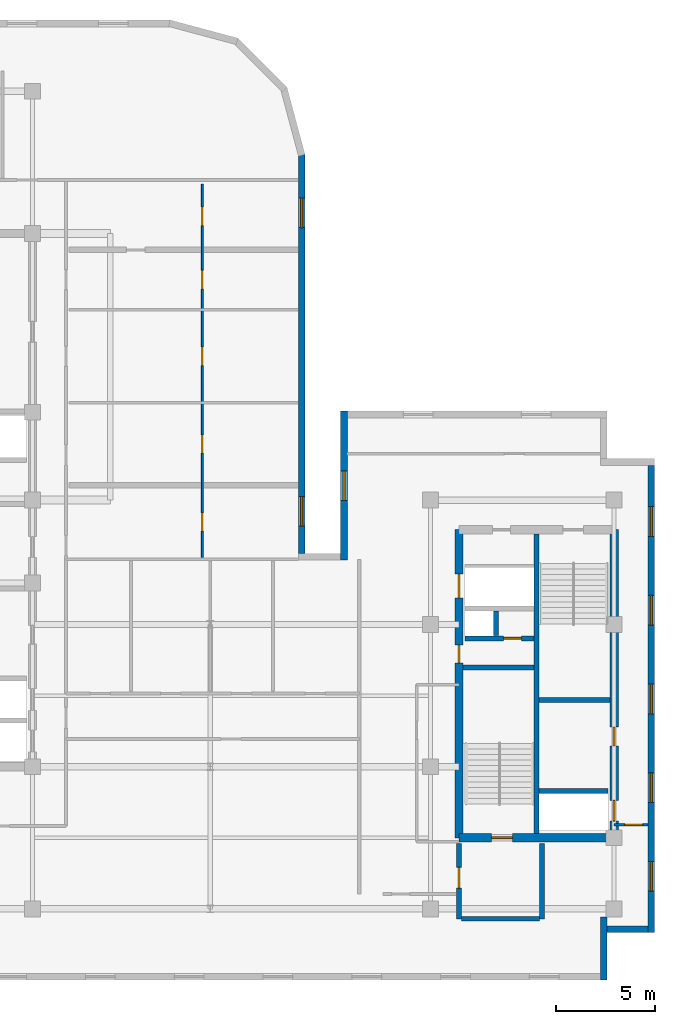
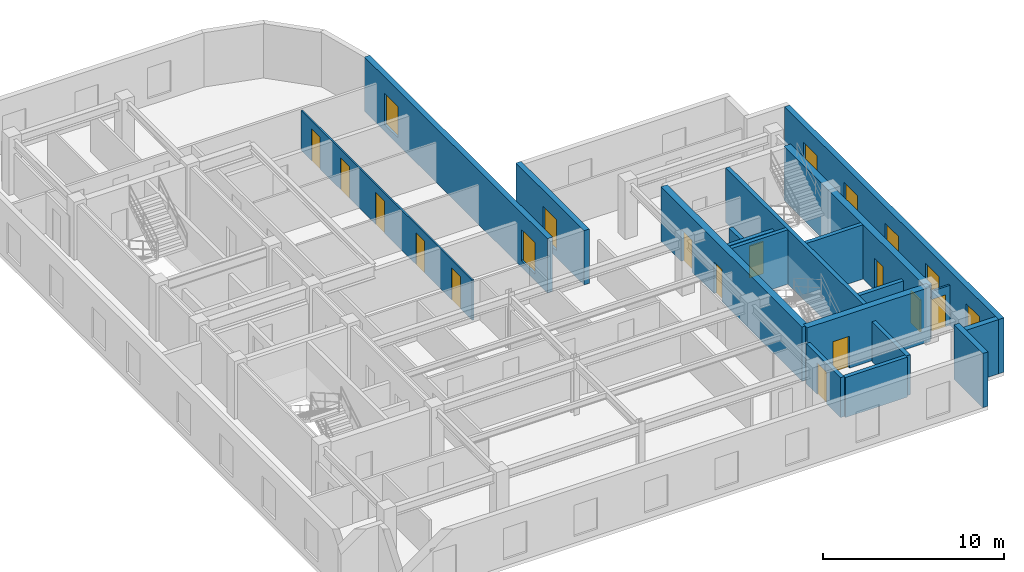
# One storey, part 5 of 10: 19 walls, 13 doors, 8 windows, 21 openings.
"""IFC4 building model written with IfcOpenShell, lengths in metres."""

from ifc_helpers import new_model, entity, si_unit, converted_unit, direction, frame, origin_with_axes, origin_2d_with_axis, place, context, subcontext, project, spatial, polyline, rectangle, outline, extrude, material, layer, layer_set, type_object, element, fill, save


model = new_model("IFC4")

# Units and contexts
model_context = context("Model", 3, precision=1e-05, world=origin_with_axes(), true_north=direction((0.0, 1.0)))
body_context = subcontext(model_context, "Body", "Model", "MODEL_VIEW")
ifc_project = project(units=[si_unit("LENGTHUNIT", "METRE"), si_unit("AREAUNIT", "SQUARE_METRE"), si_unit("VOLUMEUNIT", "CUBIC_METRE"), converted_unit("PLANEANGLEUNIT", "DEGREE", entity("IfcPlaneAngleMeasure", 0.017453292519943295), si_unit("PLANEANGLEUNIT", "RADIAN"), dimensions=[0, 0, 0, 0, 0, 0, 0]), si_unit("MASSUNIT", "GRAM", prefix="KILO"), si_unit("THERMODYNAMICTEMPERATUREUNIT", "KELVIN")], contexts=[model_context])

# Site, building, storey
site_placement = place(None, origin_with_axes())
site = spatial("IfcSite", under=ifc_project, at=site_placement, CompositionType="ELEMENT")
building_placement = place(site_placement, origin_with_axes())
building = spatial("IfcBuilding", under=site, at=building_placement, Name="Varnlund Millrace Tower", CompositionType="ELEMENT")
storey_placement = place(building_placement, frame((0.0, 0.0, 264.6), z_axis=(0.0, 0.0, 1.0), x_axis=(1.0, 0.0, 0.0)))
storey = spatial("IfcBuildingStorey", under=building, at=storey_placement, Name="L65", CompositionType="ELEMENT", Elevation=264.6)

# Wall, openings, doors
ifc_material_1 = material(Name="Concrete C60/75", Category="concrete")
ifc_layer_1 = layer(ifc_material_1, 0.42, Name="Concrete C60/75")
ifc_layer_set_1 = layer_set([ifc_layer_1], Name="Concrete C60/75")
wall_type_1 = type_object("IfcWallType", Name="Type-CoreWall-Shear-420-C60", PredefinedType="SHEAR", material=ifc_layer_set_1)
wall_1_placement = place(storey_placement, frame((40.2, 7.2, 0.0), z_axis=(0.0, 0.0, 1.0), x_axis=(0.0, 1.0, 0.0)))
wall_1 = element("IfcWall", 1, at=wall_1_placement, inside=storey, type_object=wall_type_1, Name="Type-CoreWall-Shear-420-C60", PredefinedType="SHEAR", context=body_context, shape_type="SweptSolid", body=[
    extrude(outline(polyline([(0.0, -0.21), (15.6, -0.21), (15.6, 0.21), (0.0, 0.21), (0.0, -0.21)])), origin_with_axes(), (0.0, 0.0, 1.0), 3.66),
])
opening_1_placement = place(wall_1_placement, frame((12.75, 0.0, 0.0), z_axis=(0.0, 0.0, 1.0), x_axis=(1.0, 0.0, 0.0)))
opening_1 = element("IfcOpeningElement", 2, at=opening_1_placement, cuts=wall_1, Name="Opening L65:LD-SRV2", PredefinedType="OPENING", context=body_context, shape_type="SweptSolid", body=[
    extrude(rectangle(XDim=1.2, YDim=0.44, at=origin_2d_with_axis()), origin_with_axes(), (0.0, 0.0, 1.0), 2.15),
])
opening_2_placement = place(wall_1_placement, frame((9.3, 0.0, 0.0), z_axis=(0.0, 0.0, 1.0), x_axis=(1.0, 0.0, 0.0)))
opening_2 = element("IfcOpeningElement", 3, at=opening_2_placement, cuts=wall_1, Name="Opening L65:DR-CB-JAN", PredefinedType="OPENING", context=body_context, shape_type="SweptSolid", body=[
    extrude(rectangle(XDim=0.9, YDim=0.44, at=origin_2d_with_axis()), origin_with_axes(), (0.0, 0.0, 1.0), 2.15),
])
ifc_material_2 = material(Name="Fire-rated hollow steel service closet door", Category="steel")
door_type_1 = type_object("IfcDoorType", Name="Type-FireDoor-Closet-900X2150", OperationType="NOTDEFINED", PredefinedType="DOOR", material=ifc_material_2)
door_1_placement = place(wall_1_placement, frame((9.3, 0.0, 0.0), z_axis=(0.0, 0.0, 1.0), x_axis=(1.0, 0.0, 0.0)))
door_1 = element("IfcDoor", 4, at=door_1_placement, inside=storey, type_object=door_type_1, Name="Type-FireDoor-Closet-900X2150", OperationType="SINGLE_SWING_RIGHT", OverallHeight=2.15, OverallWidth=0.9, PredefinedType="DOOR", context=body_context, shape_type="SweptSolid", body=[
    extrude(rectangle(XDim=0.9, YDim=0.09, at=origin_2d_with_axis()), origin_with_axes(), (0.0, 0.0, 1.0), 2.15),
])
fill(opening_2, door_1)
ifc_material_3 = material(Name="Heavy-duty freight sliding landing door")
door_type_2 = type_object("IfcDoorType", Name="Type-LiftLandingDoor-Service-1200X2150", OperationType="NOTDEFINED", PredefinedType="DOOR", material=ifc_material_3)
door_2_placement = place(wall_1_placement, frame((12.75, 0.0, 0.0), z_axis=(0.0, 0.0, 1.0), x_axis=(1.0, 0.0, 0.0)))
door_2 = element("IfcDoor", 5, at=door_2_placement, inside=storey, type_object=door_type_2, Name="Type-LiftLandingDoor-Service-1200X2150", OperationType="DOUBLE_DOOR_SLIDING", OverallHeight=2.15, OverallWidth=1.2, PredefinedType="DOOR", context=body_context, shape_type="SweptSolid", body=[
    extrude(rectangle(XDim=1.2, YDim=0.09, at=origin_2d_with_axis()), origin_with_axes(), (0.0, 0.0, 1.0), 2.15),
])
fill(opening_1, door_2)

# Wall, opening, door
wall_2_placement = place(storey_placement, frame((40.2, 7.2, 0.0), z_axis=(0.0, 0.0, 1.0), x_axis=(1.0, 0.0, 0.0)))
wall_2 = element("IfcWall", 6, at=wall_2_placement, inside=storey, type_object=wall_type_1, Name="Type-CoreWall-Shear-420-C60", PredefinedType="SHEAR", context=body_context, shape_type="SweptSolid", body=[
    extrude(outline(polyline([(0.0, -0.21), (7.85, -0.21), (7.85, 0.21), (0.0, 0.21), (0.0, -0.21)])), origin_with_axes(), (0.0, 0.0, 1.0), 3.66),
])
opening_3_placement = place(wall_2_placement, frame((2.175, 0.0, 0.0), z_axis=(0.0, 0.0, 1.0), x_axis=(1.0, 0.0, 0.0)))
opening_3 = element("IfcOpeningElement", 7, at=opening_3_placement, cuts=wall_2, Name="Opening L65:DR-STB1", PredefinedType="OPENING", context=body_context, shape_type="SweptSolid", body=[
    extrude(rectangle(XDim=1.05, YDim=0.44, at=origin_2d_with_axis()), origin_with_axes(), (0.0, 0.0, 1.0), 2.15),
])
ifc_material_4 = material(Name="Fire-rated hollow steel door", Category="steel")
door_type_3 = type_object("IfcDoorType", Name="Type-FireDoor-Stair-1050X2150", OperationType="NOTDEFINED", PredefinedType="DOOR", material=ifc_material_4)
door_3_placement = place(wall_2_placement, frame((2.175, 0.0, 0.0), z_axis=(0.0, 0.0, 1.0), x_axis=(1.0, 0.0, 0.0)))
door_3 = element("IfcDoor", 8, at=door_3_placement, inside=storey, type_object=door_type_3, Name="Type-FireDoor-Stair-1050X2150", OperationType="SINGLE_SWING_LEFT", OverallHeight=2.15, OverallWidth=1.05, PredefinedType="DOOR", context=body_context, shape_type="SweptSolid", body=[
    extrude(rectangle(XDim=1.05, YDim=0.09, at=origin_2d_with_axis()), origin_with_axes(), (0.0, 0.0, 1.0), 2.15),
])
fill(opening_3, door_3)

# Wall, openings, doors
wall_3_placement = place(storey_placement, frame((48.05, 7.2, 0.0), z_axis=(0.0, 0.0, 1.0), x_axis=(0.0, 1.0, 0.0)))
wall_3 = element("IfcWall", 9, at=wall_3_placement, inside=storey, type_object=wall_type_1, Name="Type-CoreWall-Shear-420-C60", PredefinedType="SHEAR", context=body_context, shape_type="SweptSolid", body=[
    extrude(outline(polyline([(0.0, -0.21), (15.6, -0.21), (15.6, 0.21), (0.0, 0.21), (0.0, -0.21)])), origin_with_axes(), (0.0, 0.0, 1.0), 3.66),
])
opening_4_placement = place(wall_3_placement, frame((1.375, 0.0, 0.0), z_axis=(0.0, 0.0, 1.0), x_axis=(1.0, 0.0, 0.0)))
opening_4 = element("IfcOpeningElement", 10, at=opening_4_placement, cuts=wall_3, Name="Opening L65:LD-ELV-H3", PredefinedType="OPENING", context=body_context, shape_type="SweptSolid", body=[
    extrude(rectangle(XDim=1.05, YDim=0.44, at=origin_2d_with_axis()), origin_with_axes(), (0.0, 0.0, 1.0), 2.15),
])
opening_5_placement = place(wall_3_placement, frame((5.125, 0.0, 0.0), z_axis=(0.0, 0.0, 1.0), x_axis=(1.0, 0.0, 0.0)))
opening_5 = element("IfcOpeningElement", 11, at=opening_5_placement, cuts=wall_3, Name="Opening L65:DR-CB-WC", PredefinedType="OPENING", context=body_context, shape_type="SweptSolid", body=[
    extrude(rectangle(XDim=0.95, YDim=0.44, at=origin_2d_with_axis()), origin_with_axes(), (0.0, 0.0, 1.0), 2.15),
])
ifc_material_5 = material(Name="Fire-rated hollow steel core service door", Category="steel")
door_type_4 = type_object("IfcDoorType", Name="Type-FireDoor-Service-950X2150", OperationType="NOTDEFINED", PredefinedType="DOOR", material=ifc_material_5)
door_4_placement = place(wall_3_placement, frame((5.125, 0.0, 0.0), z_axis=(0.0, 0.0, 1.0), x_axis=(1.0, 0.0, 0.0)))
door_4 = element("IfcDoor", 12, at=door_4_placement, inside=storey, type_object=door_type_4, Name="Type-FireDoor-Service-950X2150", OperationType="SINGLE_SWING_LEFT", OverallHeight=2.15, OverallWidth=0.95, PredefinedType="DOOR", context=body_context, shape_type="SweptSolid", body=[
    extrude(rectangle(XDim=0.95, YDim=0.09, at=origin_2d_with_axis()), origin_with_axes(), (0.0, 0.0, 1.0), 2.15),
])
fill(opening_5, door_4)
ifc_material_6 = material(Name="Architectural bronze sliding landing door")
door_type_5 = type_object("IfcDoorType", Name="Type-LiftLandingDoor-Compact-1050X2150", OperationType="NOTDEFINED", PredefinedType="DOOR", material=ifc_material_6)
door_5_placement = place(wall_3_placement, frame((1.375, 0.0, 0.0), z_axis=(0.0, 0.0, 1.0), x_axis=(1.0, 0.0, 0.0)))
door_5 = element("IfcDoor", 13, at=door_5_placement, inside=storey, type_object=door_type_5, Name="Type-LiftLandingDoor-Compact-1050X2150", OperationType="SLIDING_TO_LEFT", OverallHeight=2.15, OverallWidth=1.05, PredefinedType="DOOR", context=body_context, shape_type="SweptSolid", body=[
    extrude(rectangle(XDim=1.05, YDim=0.09, at=origin_2d_with_axis()), origin_with_axes(), (0.0, 0.0, 1.0), 2.15),
])
fill(opening_4, door_5)

# Wall, opening, window
ifc_material_7 = material(Name="Precast concrete C50/60", Category="concrete")
ifc_layer_2 = layer(ifc_material_7, 0.34, Name="Precast concrete C50/60")
ifc_layer_set_2 = layer_set([ifc_layer_2], Name="Precast concrete C50/60")
wall_type_2 = type_object("IfcWallType", Name="Type-ExtWall-Precast-Upper-340", PredefinedType="SOLIDWALL", material=ifc_layer_set_2)
wall_4_placement = place(storey_placement, frame((34.37, 21.26, 0.0), z_axis=(0.0, 0.0, 1.0), x_axis=(0.0, 1.0, 0.0)))
wall_4 = element("IfcWall", 14, at=wall_4_placement, inside=storey, type_object=wall_type_2, Name="Type-ExtWall-Precast-Upper-340", PredefinedType="SOLIDWALL", context=body_context, shape_type="SweptSolid", body=[
    extrude(outline(polyline([(0.0, -0.17), (7.54, -0.17), (7.54, 0.17), (0.0, 0.17), (0.0, -0.17)])), origin_with_axes(), (0.0, 0.0, 1.0), 3.66),
])
opening_6_placement = place(wall_4_placement, frame((3.77, 0.0, 0.45), z_axis=(0.0, 0.0, 1.0), x_axis=(1.0, 0.0, 0.0)))
opening_6 = element("IfcOpeningElement", 15, at=opening_6_placement, cuts=wall_4, Name="Opening L65:WN-01", PredefinedType="OPENING", context=body_context, shape_type="SweptSolid", body=[
    extrude(rectangle(XDim=1.5, YDim=0.36, at=origin_2d_with_axis()), origin_with_axes(), (0.0, 0.0, 1.0), 2.1),
])
ifc_material_8 = material(Name="Argon low-e triple glazing in thermally broken bronze frame", Category="glass")
window_type = type_object("IfcWindowType", Name="Type-Window-Punched-1500X2100", PartitioningType="SINGLE_PANEL", PredefinedType="WINDOW", material=ifc_material_8)
window_1_placement = place(wall_4_placement, frame((3.77, 0.0, 0.45), z_axis=(0.0, 0.0, 1.0), x_axis=(1.0, 0.0, 0.0)))
window_1 = element("IfcWindow", 16, at=window_1_placement, inside=storey, type_object=window_type, Name="Type-Window-Punched-1500X2100", OverallHeight=2.1, OverallWidth=1.5, PredefinedType="WINDOW", context=body_context, shape_type="SweptSolid", body=[
    extrude(rectangle(XDim=1.5, YDim=0.09, at=origin_2d_with_axis()), origin_with_axes(), (0.0, 0.0, 1.0), 2.1),
])
fill(opening_6, window_1)

# Wall, openings, windows
wall_5_placement = place(storey_placement, frame((49.93, 26.06, 0.0), z_axis=(0.0, 0.0, 1.0), x_axis=(0.0, -1.0, 0.0)))
wall_5 = element("IfcWall", 17, at=wall_5_placement, inside=storey, type_object=wall_type_2, Name="Type-ExtWall-Precast-Upper-340", PredefinedType="SOLIDWALL", context=body_context, shape_type="SweptSolid", body=[
    extrude(outline(polyline([(0.0, -0.17), (23.66, -0.17), (23.66, 0.17), (0.0, 0.17), (0.0, -0.17)])), origin_with_axes(), (0.0, 0.0, 1.0), 3.66),
])
opening_7_placement = place(wall_5_placement, frame((2.846, 0.0, 0.45), z_axis=(0.0, 0.0, 1.0), x_axis=(1.0, 0.0, 0.0)))
opening_7 = element("IfcOpeningElement", 18, at=opening_7_placement, cuts=wall_5, Name="Opening L65:WN-04", PredefinedType="OPENING", context=body_context, shape_type="SweptSolid", body=[
    extrude(rectangle(XDim=1.5, YDim=0.36, at=origin_2d_with_axis()), origin_with_axes(), (0.0, 0.0, 1.0), 2.1),
])
opening_8_placement = place(wall_5_placement, frame((7.338, 0.0, 0.45), z_axis=(0.0, 0.0, 1.0), x_axis=(1.0, 0.0, 0.0)))
opening_8 = element("IfcOpeningElement", 19, at=opening_8_placement, cuts=wall_5, Name="Opening L65:WN-05", PredefinedType="OPENING", context=body_context, shape_type="SweptSolid", body=[
    extrude(rectangle(XDim=1.5, YDim=0.36, at=origin_2d_with_axis()), origin_with_axes(), (0.0, 0.0, 1.0), 2.1),
])
opening_9_placement = place(wall_5_placement, frame((11.83, 0.0, 0.45), z_axis=(0.0, 0.0, 1.0), x_axis=(1.0, 0.0, 0.0)))
opening_9 = element("IfcOpeningElement", 20, at=opening_9_placement, cuts=wall_5, Name="Opening L65:WN-06", PredefinedType="OPENING", context=body_context, shape_type="SweptSolid", body=[
    extrude(rectangle(XDim=1.5, YDim=0.36, at=origin_2d_with_axis()), origin_with_axes(), (0.0, 0.0, 1.0), 2.1),
])
opening_10_placement = place(wall_5_placement, frame((16.322, 0.0, 0.45), z_axis=(0.0, 0.0, 1.0), x_axis=(1.0, 0.0, 0.0)))
opening_10 = element("IfcOpeningElement", 21, at=opening_10_placement, cuts=wall_5, Name="Opening L65:WN-07", PredefinedType="OPENING", context=body_context, shape_type="SweptSolid", body=[
    extrude(rectangle(XDim=1.5, YDim=0.36, at=origin_2d_with_axis()), origin_with_axes(), (0.0, 0.0, 1.0), 2.1),
])
opening_11_placement = place(wall_5_placement, frame((20.814, 0.0, 0.45), z_axis=(0.0, 0.0, 1.0), x_axis=(1.0, 0.0, 0.0)))
opening_11 = element("IfcOpeningElement", 22, at=opening_11_placement, cuts=wall_5, Name="Opening L65:WN-08", PredefinedType="OPENING", context=body_context, shape_type="SweptSolid", body=[
    extrude(rectangle(XDim=1.5, YDim=0.36, at=origin_2d_with_axis()), origin_with_axes(), (0.0, 0.0, 1.0), 2.1),
])
window_2_placement = place(wall_5_placement, frame((2.846, 0.0, 0.45), z_axis=(0.0, 0.0, 1.0), x_axis=(1.0, 0.0, 0.0)))
window_2 = element("IfcWindow", 23, at=window_2_placement, inside=storey, type_object=window_type, Name="Type-Window-Punched-1500X2100", OverallHeight=2.1, OverallWidth=1.5, PredefinedType="WINDOW", context=body_context, shape_type="SweptSolid", body=[
    extrude(rectangle(XDim=1.5, YDim=0.09, at=origin_2d_with_axis()), origin_with_axes(), (0.0, 0.0, 1.0), 2.1),
])
fill(opening_7, window_2)
window_3_placement = place(wall_5_placement, frame((7.338, 0.0, 0.45), z_axis=(0.0, 0.0, 1.0), x_axis=(1.0, 0.0, 0.0)))
window_3 = element("IfcWindow", 24, at=window_3_placement, inside=storey, type_object=window_type, Name="Type-Window-Punched-1500X2100", OverallHeight=2.1, OverallWidth=1.5, PredefinedType="WINDOW", context=body_context, shape_type="SweptSolid", body=[
    extrude(rectangle(XDim=1.5, YDim=0.09, at=origin_2d_with_axis()), origin_with_axes(), (0.0, 0.0, 1.0), 2.1),
])
fill(opening_8, window_3)
window_4_placement = place(wall_5_placement, frame((11.83, 0.0, 0.45), z_axis=(0.0, 0.0, 1.0), x_axis=(1.0, 0.0, 0.0)))
window_4 = element("IfcWindow", 25, at=window_4_placement, inside=storey, type_object=window_type, Name="Type-Window-Punched-1500X2100", OverallHeight=2.1, OverallWidth=1.5, PredefinedType="WINDOW", context=body_context, shape_type="SweptSolid", body=[
    extrude(rectangle(XDim=1.5, YDim=0.09, at=origin_2d_with_axis()), origin_with_axes(), (0.0, 0.0, 1.0), 2.1),
])
fill(opening_9, window_4)
window_5_placement = place(wall_5_placement, frame((16.322, 0.0, 0.45), z_axis=(0.0, 0.0, 1.0), x_axis=(1.0, 0.0, 0.0)))
window_5 = element("IfcWindow", 26, at=window_5_placement, inside=storey, type_object=window_type, Name="Type-Window-Punched-1500X2100", OverallHeight=2.1, OverallWidth=1.5, PredefinedType="WINDOW", context=body_context, shape_type="SweptSolid", body=[
    extrude(rectangle(XDim=1.5, YDim=0.09, at=origin_2d_with_axis()), origin_with_axes(), (0.0, 0.0, 1.0), 2.1),
])
fill(opening_10, window_5)
window_6_placement = place(wall_5_placement, frame((20.814, 0.0, 0.45), z_axis=(0.0, 0.0, 1.0), x_axis=(1.0, 0.0, 0.0)))
window_6 = element("IfcWindow", 27, at=window_6_placement, inside=storey, type_object=window_type, Name="Type-Window-Punched-1500X2100", OverallHeight=2.1, OverallWidth=1.5, PredefinedType="WINDOW", context=body_context, shape_type="SweptSolid", body=[
    extrude(rectangle(XDim=1.5, YDim=0.09, at=origin_2d_with_axis()), origin_with_axes(), (0.0, 0.0, 1.0), 2.1),
])
fill(opening_11, window_6)

# Walls
wall_6_placement = place(storey_placement, frame((49.76, 2.57, 0.0), z_axis=(0.0, 0.0, 1.0), x_axis=(-1.0, 0.0, 0.0)))
element("IfcWall", 28, at=wall_6_placement, inside=storey, type_object=wall_type_2, Name="Type-ExtWall-Precast-Upper-340", PredefinedType="SOLIDWALL", context=body_context, shape_type="SweptSolid", body=[
    extrude(outline(polyline([(0.0, -0.17), (2.06, -0.17), (2.06, 0.17), (0.0, 0.17), (0.0, -0.17)])), origin_with_axes(), (0.0, 0.0, 1.0), 3.66),
])
wall_7_placement = place(storey_placement, frame((47.53, 3.2, 0.0), z_axis=(0.0, 0.0, 1.0), x_axis=(0.0, -1.0, 0.0)))
element("IfcWall", 29, at=wall_7_placement, inside=storey, type_object=wall_type_2, Name="Type-ExtWall-Precast-Upper-340", PredefinedType="SOLIDWALL", context=body_context, shape_type="SweptSolid", body=[
    extrude(outline(polyline([(0.0, -0.17), (3.2, -0.17), (3.2, 0.17), (0.0, 0.17), (0.0, -0.17)])), origin_with_axes(), (0.0, 0.0, 1.0), 3.66),
])

# Wall, openings, windows
wall_8_placement = place(storey_placement, frame((32.23, 41.82, 0.0), z_axis=(0.0, 0.0, 1.0), x_axis=(0.0, -1.0, 0.0)))
wall_8 = element("IfcWall", 30, at=wall_8_placement, inside=storey, type_object=wall_type_2, Name="Type-ExtWall-Precast-Upper-340", PredefinedType="SOLIDWALL", context=body_context, shape_type="SweptSolid", body=[
    extrude(outline(polyline([(0.0, -0.17), (20.22, -0.17), (20.22, 0.17), (0.0, 0.17), (0.0, -0.17)])), origin_with_axes(), (0.0, 0.0, 1.0), 3.66),
])
opening_12_placement = place(wall_8_placement, frame((2.978, 0.0, 0.45), z_axis=(0.0, 0.0, 1.0), x_axis=(1.0, 0.0, 0.0)))
opening_12 = element("IfcOpeningElement", 31, at=opening_12_placement, cuts=wall_8, Name="Opening L65:WN-29", PredefinedType="OPENING", context=body_context, shape_type="SweptSolid", body=[
    extrude(rectangle(XDim=1.5, YDim=0.36, at=origin_2d_with_axis()), origin_with_axes(), (0.0, 0.0, 1.0), 2.1),
])
opening_13_placement = place(wall_8_placement, frame((18.092, 0.0, 0.45), z_axis=(0.0, 0.0, 1.0), x_axis=(1.0, 0.0, 0.0)))
opening_13 = element("IfcOpeningElement", 32, at=opening_13_placement, cuts=wall_8, Name="Opening L65:WN-30", PredefinedType="OPENING", context=body_context, shape_type="SweptSolid", body=[
    extrude(rectangle(XDim=1.5, YDim=0.36, at=origin_2d_with_axis()), origin_with_axes(), (0.0, 0.0, 1.0), 2.1),
])
window_7_placement = place(wall_8_placement, frame((2.978, 0.0, 0.45), z_axis=(0.0, 0.0, 1.0), x_axis=(1.0, 0.0, 0.0)))
window_7 = element("IfcWindow", 33, at=window_7_placement, inside=storey, type_object=window_type, Name="Type-Window-Punched-1500X2100", OverallHeight=2.1, OverallWidth=1.5, PredefinedType="WINDOW", context=body_context, shape_type="SweptSolid", body=[
    extrude(rectangle(XDim=1.5, YDim=0.09, at=origin_2d_with_axis()), origin_with_axes(), (0.0, 0.0, 1.0), 2.1),
])
fill(opening_12, window_7)
window_8_placement = place(wall_8_placement, frame((18.092, 0.0, 0.45), z_axis=(0.0, 0.0, 1.0), x_axis=(1.0, 0.0, 0.0)))
window_8 = element("IfcWindow", 34, at=window_8_placement, inside=storey, type_object=window_type, Name="Type-Window-Punched-1500X2100", OverallHeight=2.1, OverallWidth=1.5, PredefinedType="WINDOW", context=body_context, shape_type="SweptSolid", body=[
    extrude(rectangle(XDim=1.5, YDim=0.09, at=origin_2d_with_axis()), origin_with_axes(), (0.0, 0.0, 1.0), 2.1),
])
fill(opening_13, window_8)

# Wall, openings, doors
ifc_material_9 = material(Name="Architectural bronze and acoustic glass office front", Category="glass")
ifc_layer_3 = layer(ifc_material_9, 0.1, Name="Architectural bronze and acoustic glass office front")
ifc_layer_set_3 = layer_set([ifc_layer_3], Name="Architectural bronze and acoustic glass office front")
wall_type_3 = type_object("IfcWallType", Name="Type-Partition-Glazed-100", PredefinedType="PARTITIONING", material=ifc_layer_set_3)
wall_9_placement = place(storey_placement, frame((27.2, 21.4, 0.0), z_axis=(0.0, 0.0, 1.0), x_axis=(0.0, 1.0, 0.0)))
wall_9 = element("IfcWall", 35, at=wall_9_placement, inside=storey, type_object=wall_type_3, Name="Type-Partition-Glazed-100", PredefinedType="PARTITIONING", context=body_context, shape_type="SweptSolid", body=[
    extrude(outline(polyline([(0.0, -0.05), (18.9, -0.05), (18.9, 0.05), (0.0, 0.05), (0.0, -0.05)])), origin_with_axes(), (0.0, 0.0, 1.0), 2.7),
])
opening_14_placement = place(wall_9_placement, frame((1.79, 0.0, 0.0), z_axis=(0.0, 0.0, 1.0), x_axis=(1.0, 0.0, 0.0)))
opening_14 = element("IfcOpeningElement", 36, at=opening_14_placement, cuts=wall_9, Name="Opening L65:DR-FLR-S01", PredefinedType="OPENING", context=body_context, shape_type="SweptSolid", body=[
    extrude(rectangle(XDim=0.95, YDim=0.12, at=origin_2d_with_axis()), origin_with_axes(), (0.0, 0.0, 1.0), 2.15),
])
opening_15_placement = place(wall_9_placement, frame((5.739, 0.0, 0.0), z_axis=(0.0, 0.0, 1.0), x_axis=(1.0, 0.0, 0.0)))
opening_15 = element("IfcOpeningElement", 37, at=opening_15_placement, cuts=wall_9, Name="Opening L65:DR-FLR-S02", PredefinedType="OPENING", context=body_context, shape_type="SweptSolid", body=[
    extrude(rectangle(XDim=0.95, YDim=0.12, at=origin_2d_with_axis()), origin_with_axes(), (0.0, 0.0, 1.0), 2.15),
])
opening_16_placement = place(wall_9_placement, frame((10.1835, 0.0, 0.0), z_axis=(0.0, 0.0, 1.0), x_axis=(1.0, 0.0, 0.0)))
opening_16 = element("IfcOpeningElement", 38, at=opening_16_placement, cuts=wall_9, Name="Opening L65:DR-FLR-S03", PredefinedType="OPENING", context=body_context, shape_type="SweptSolid", body=[
    extrude(rectangle(XDim=0.95, YDim=0.12, at=origin_2d_with_axis()), origin_with_axes(), (0.0, 0.0, 1.0), 2.15),
])
opening_17_placement = place(wall_9_placement, frame((14.0515, 0.0, 0.0), z_axis=(0.0, 0.0, 1.0), x_axis=(1.0, 0.0, 0.0)))
opening_17 = element("IfcOpeningElement", 39, at=opening_17_placement, cuts=wall_9, Name="Opening L65:DR-FLR-S04", PredefinedType="OPENING", context=body_context, shape_type="SweptSolid", body=[
    extrude(rectangle(XDim=0.95, YDim=0.12, at=origin_2d_with_axis()), origin_with_axes(), (0.0, 0.0, 1.0), 2.15),
])
opening_18_placement = place(wall_9_placement, frame((17.267, 0.0, 0.0), z_axis=(0.0, 0.0, 1.0), x_axis=(1.0, 0.0, 0.0)))
opening_18 = element("IfcOpeningElement", 40, at=opening_18_placement, cuts=wall_9, Name="Opening L65:DR-FLR-S05", PredefinedType="OPENING", context=body_context, shape_type="SweptSolid", body=[
    extrude(rectangle(XDim=0.95, YDim=0.12, at=origin_2d_with_axis()), origin_with_axes(), (0.0, 0.0, 1.0), 2.15),
])
ifc_material_10 = material(Name="Solid-core acoustic office door")
door_type_6 = type_object("IfcDoorType", Name="Type-IntDoor-Tenant-950X2150", OperationType="NOTDEFINED", PredefinedType="DOOR", material=ifc_material_10)
door_6_placement = place(wall_9_placement, frame((1.79, 0.0, 0.0), z_axis=(0.0, 0.0, 1.0), x_axis=(1.0, 0.0, 0.0)))
door_6 = element("IfcDoor", 41, at=door_6_placement, inside=storey, type_object=door_type_6, Name="Type-IntDoor-Tenant-950X2150", OperationType="SINGLE_SWING_LEFT", OverallHeight=2.15, OverallWidth=0.95, PredefinedType="DOOR", context=body_context, shape_type="SweptSolid", body=[
    extrude(rectangle(XDim=0.95, YDim=0.06, at=origin_2d_with_axis()), origin_with_axes(), (0.0, 0.0, 1.0), 2.15),
])
fill(opening_14, door_6)
door_7_placement = place(wall_9_placement, frame((5.739, 0.0, 0.0), z_axis=(0.0, 0.0, 1.0), x_axis=(1.0, 0.0, 0.0)))
door_7 = element("IfcDoor", 42, at=door_7_placement, inside=storey, type_object=door_type_6, Name="Type-IntDoor-Tenant-950X2150", OperationType="SINGLE_SWING_LEFT", OverallHeight=2.15, OverallWidth=0.95, PredefinedType="DOOR", context=body_context, shape_type="SweptSolid", body=[
    extrude(rectangle(XDim=0.95, YDim=0.06, at=origin_2d_with_axis()), origin_with_axes(), (0.0, 0.0, 1.0), 2.15),
])
fill(opening_15, door_7)
door_8_placement = place(wall_9_placement, frame((10.1835, 0.0, 0.0), z_axis=(0.0, 0.0, 1.0), x_axis=(1.0, 0.0, 0.0)))
door_8 = element("IfcDoor", 43, at=door_8_placement, inside=storey, type_object=door_type_6, Name="Type-IntDoor-Tenant-950X2150", OperationType="SINGLE_SWING_LEFT", OverallHeight=2.15, OverallWidth=0.95, PredefinedType="DOOR", context=body_context, shape_type="SweptSolid", body=[
    extrude(rectangle(XDim=0.95, YDim=0.06, at=origin_2d_with_axis()), origin_with_axes(), (0.0, 0.0, 1.0), 2.15),
])
fill(opening_16, door_8)
door_9_placement = place(wall_9_placement, frame((14.0515, 0.0, 0.0), z_axis=(0.0, 0.0, 1.0), x_axis=(1.0, 0.0, 0.0)))
door_9 = element("IfcDoor", 44, at=door_9_placement, inside=storey, type_object=door_type_6, Name="Type-IntDoor-Tenant-950X2150", OperationType="SINGLE_SWING_LEFT", OverallHeight=2.15, OverallWidth=0.95, PredefinedType="DOOR", context=body_context, shape_type="SweptSolid", body=[
    extrude(rectangle(XDim=0.95, YDim=0.06, at=origin_2d_with_axis()), origin_with_axes(), (0.0, 0.0, 1.0), 2.15),
])
fill(opening_17, door_9)
door_10_placement = place(wall_9_placement, frame((17.267, 0.0, 0.0), z_axis=(0.0, 0.0, 1.0), x_axis=(1.0, 0.0, 0.0)))
door_10 = element("IfcDoor", 45, at=door_10_placement, inside=storey, type_object=door_type_6, Name="Type-IntDoor-Tenant-950X2150", OperationType="SINGLE_SWING_LEFT", OverallHeight=2.15, OverallWidth=0.95, PredefinedType="DOOR", context=body_context, shape_type="SweptSolid", body=[
    extrude(rectangle(XDim=0.95, YDim=0.06, at=origin_2d_with_axis()), origin_with_axes(), (0.0, 0.0, 1.0), 2.15),
])
fill(opening_18, door_10)

# Wall, opening, door
ifc_material_11 = material(Name="Gypsum board tenant partition", Category="gypsum")
ifc_layer_4 = layer(ifc_material_11, 0.125, Name="Gypsum board tenant partition")
ifc_layer_set_4 = layer_set([ifc_layer_4], Name="Gypsum board tenant partition")
wall_type_4 = type_object("IfcWallType", Name="Type-Partition-Tenant-125", PredefinedType="PARTITIONING", material=ifc_layer_set_4)
wall_10_placement = place(storey_placement, frame((49.765, 7.85, 0.0), z_axis=(0.0, 0.0, 1.0), x_axis=(-1.0, 0.0, 0.0)))
wall_10 = element("IfcWall", 46, at=wall_10_placement, inside=storey, type_object=wall_type_4, Name="Type-Partition-Tenant-125", PredefinedType="PARTITIONING", context=body_context, shape_type="SweptSolid", body=[
    extrude(outline(polyline([(0.0, -0.0625), (1.715, -0.0625), (1.715, 0.0625), (0.0, 0.0625), (0.0, -0.0625)])), origin_with_axes(), (0.0, 0.0, 1.0), 2.7),
])
opening_19_placement = place(wall_10_placement, frame((0.725, 0.0, 0.0), z_axis=(0.0, 0.0, 1.0), x_axis=(1.0, 0.0, 0.0)))
opening_19 = element("IfcOpeningElement", 47, at=opening_19_placement, cuts=wall_10, Name="Opening L65:DR-WBS-01", PredefinedType="OPENING", context=body_context, shape_type="SweptSolid", body=[
    extrude(rectangle(XDim=0.9, YDim=0.145, at=origin_2d_with_axis()), origin_with_axes(), (0.0, 0.0, 1.0), 2.15),
])
ifc_material_12 = material(Name="Painted steel riser and closet door", Category="steel")
door_type_7 = type_object("IfcDoorType", Name="Type-IntDoor-Closet-900X2150", OperationType="NOTDEFINED", PredefinedType="DOOR", material=ifc_material_12)
door_11_placement = place(wall_10_placement, frame((0.725, 0.0, 0.0), z_axis=(0.0, 0.0, 1.0), x_axis=(1.0, 0.0, 0.0)))
door_11 = element("IfcDoor", 48, at=door_11_placement, inside=storey, type_object=door_type_7, Name="Type-IntDoor-Closet-900X2150", OperationType="SINGLE_SWING_LEFT", OverallHeight=2.15, OverallWidth=0.9, PredefinedType="DOOR", context=body_context, shape_type="SweptSolid", body=[
    extrude(rectangle(XDim=0.9, YDim=0.075, at=origin_2d_with_axis()), origin_with_axes(), (0.0, 0.0, 1.0), 2.15),
])
fill(opening_19, door_11)

ifc_layer_5 = layer(ifc_material_1, 0.25, Name="Concrete C60/75")
ifc_layer_set_5 = layer_set([ifc_layer_5], Name="Concrete C60/75")
wall_type_5 = type_object("IfcWallType", Name="Type-ShaftWall-Fire-250", PredefinedType="SOLIDWALL", material=ifc_layer_set_5)
wall_11_placement = place(storey_placement, frame((40.5, 17.3, 0.0), z_axis=(0.0, 0.0, 1.0), x_axis=(1.0, 0.0, 0.0)))
wall_11 = element("IfcWall", 49, at=wall_11_placement, inside=storey, type_object=wall_type_5, Name="Type-ShaftWall-Fire-250", PredefinedType="SOLIDWALL", context=body_context, shape_type="SweptSolid", body=[
    extrude(outline(polyline([(0.0, -0.125), (3.5, -0.125), (3.5, 0.125), (0.0, 0.125), (0.0, -0.125)])), origin_with_axes(), (0.0, 0.0, 1.0), 2.7),
])
opening_20_placement = place(wall_11_placement, frame((2.4, 0.0, 0.0), z_axis=(0.0, 0.0, 1.0), x_axis=(1.0, 0.0, 0.0)))
opening_20 = element("IfcOpeningElement", 50, at=opening_20_placement, cuts=wall_11, Name="Opening L65:DR-CB-ELC", PredefinedType="OPENING", context=body_context, shape_type="SweptSolid", body=[
    extrude(rectangle(XDim=0.9, YDim=0.27, at=origin_2d_with_axis()), origin_with_axes(), (0.0, 0.0, 1.0), 2.15),
])
door_12_placement = place(wall_11_placement, frame((2.4, 0.0, 0.0), z_axis=(0.0, 0.0, 1.0), x_axis=(1.0, 0.0, 0.0)))
door_12 = element("IfcDoor", 51, at=door_12_placement, inside=storey, type_object=door_type_1, Name="Type-FireDoor-Closet-900X2150", OperationType="SINGLE_SWING_LEFT", OverallHeight=2.15, OverallWidth=0.9, PredefinedType="DOOR", context=body_context, shape_type="SweptSolid", body=[
    extrude(rectangle(XDim=0.9, YDim=0.09, at=origin_2d_with_axis()), origin_with_axes(), (0.0, 0.0, 1.0), 2.15),
])
fill(opening_20, door_12)

# Wall
wall_12_placement = place(storey_placement, frame((42.075, 17.43, 0.0), z_axis=(0.0, 0.0, 1.0), x_axis=(0.0, 1.0, 0.0)))
element("IfcWall", 52, at=wall_12_placement, inside=storey, type_object=wall_type_5, Name="Type-ShaftWall-Fire-250", PredefinedType="SOLIDWALL", context=body_context, shape_type="SweptSolid", body=[
    extrude(outline(polyline([(0.0, -0.125), (1.24, -0.125), (1.24, 0.125), (0.0, 0.125), (0.0, -0.125)])), origin_with_axes(), (0.0, 0.0, 1.0), 2.7),
])

# Wall, opening, door
wall_13_placement = place(storey_placement, frame((40.2, 3.1, 0.0), z_axis=(0.0, 0.0, 1.0), x_axis=(0.0, 1.0, 0.0)))
wall_13 = element("IfcWall", 53, at=wall_13_placement, inside=storey, type_object=wall_type_5, Name="Type-ShaftWall-Fire-250", PredefinedType="SOLIDWALL", context=body_context, shape_type="SweptSolid", body=[
    extrude(outline(polyline([(0.0, -0.125), (3.8, -0.125), (3.8, 0.125), (0.0, 0.125), (0.0, -0.125)])), origin_with_axes(), (0.0, 0.0, 1.0), 2.7),
])
opening_21_placement = place(wall_13_placement, frame((2.075, 0.0, 0.0), z_axis=(0.0, 0.0, 1.0), x_axis=(1.0, 0.0, 0.0)))
opening_21 = element("IfcOpeningElement", 54, at=opening_21_placement, cuts=wall_13, Name="Opening L65:DR-FFLOB-B", PredefinedType="OPENING", context=body_context, shape_type="SweptSolid", body=[
    extrude(rectangle(XDim=1.05, YDim=0.27, at=origin_2d_with_axis()), origin_with_axes(), (0.0, 0.0, 1.0), 2.15),
])
ifc_material_13 = material(Name="Smoke-barrier hollow steel fire door", Category="steel")
door_type_8 = type_object("IfcDoorType", Name="Type-FireDoor-Lobby-1050X2150", OperationType="NOTDEFINED", PredefinedType="DOOR", material=ifc_material_13)
door_13_placement = place(wall_13_placement, frame((2.075, 0.0, 0.0), z_axis=(0.0, 0.0, 1.0), x_axis=(1.0, 0.0, 0.0)))
door_13 = element("IfcDoor", 55, at=door_13_placement, inside=storey, type_object=door_type_8, Name="Type-FireDoor-Lobby-1050X2150", OperationType="SINGLE_SWING_LEFT", OverallHeight=2.15, OverallWidth=1.05, PredefinedType="DOOR", context=body_context, shape_type="SweptSolid", body=[
    extrude(rectangle(XDim=1.05, YDim=0.09, at=origin_2d_with_axis()), origin_with_axes(), (0.0, 0.0, 1.0), 2.15),
])
fill(opening_21, door_13)

# Walls
wall_14_placement = place(storey_placement, frame((40.325, 3.1, 0.0), z_axis=(0.0, 0.0, 1.0), x_axis=(1.0, 0.0, 0.0)))
element("IfcWall", 56, at=wall_14_placement, inside=storey, type_object=wall_type_5, Name="Type-ShaftWall-Fire-250", PredefinedType="SOLIDWALL", context=body_context, shape_type="SweptSolid", body=[
    extrude(outline(polyline([(0.0, -0.125), (3.95, -0.125), (3.95, 0.125), (0.0, 0.125), (0.0, -0.125)])), origin_with_axes(), (0.0, 0.0, 1.0), 2.7),
])
wall_15_placement = place(storey_placement, frame((44.4, 3.1, 0.0), z_axis=(0.0, 0.0, 1.0), x_axis=(0.0, 1.0, 0.0)))
element("IfcWall", 57, at=wall_15_placement, inside=storey, type_object=wall_type_5, Name="Type-ShaftWall-Fire-250", PredefinedType="SOLIDWALL", context=body_context, shape_type="SweptSolid", body=[
    extrude(outline(polyline([(0.0, -0.125), (3.8, -0.125), (3.8, 0.125), (0.0, 0.125), (0.0, -0.125)])), origin_with_axes(), (0.0, 0.0, 1.0), 2.7),
])
wall_16_placement = place(storey_placement, frame((44.25, 9.56, 0.0), z_axis=(0.0, 0.0, 1.0), x_axis=(1.0, 0.0, 0.0)))
element("IfcWall", 58, at=wall_16_placement, inside=storey, type_object=wall_type_5, Name="Type-ShaftWall-Fire-250", PredefinedType="SOLIDWALL", context=body_context, shape_type="SweptSolid", body=[
    extrude(outline(polyline([(0.0, -0.125), (3.5, -0.125), (3.5, 0.125), (0.0, 0.125), (0.0, -0.125)])), origin_with_axes(), (0.0, 0.0, 1.0), 2.7),
])
wall_type_6 = type_object("IfcWallType", Name="Type-StairWall-Shear-250", PredefinedType="SHEAR", material=ifc_layer_set_5)
wall_17_placement = place(storey_placement, frame((44.125, 7.41, 0.0), z_axis=(0.0, 0.0, 1.0), x_axis=(0.0, 1.0, 0.0)))
element("IfcWall", 59, at=wall_17_placement, inside=storey, type_object=wall_type_6, Name="Type-StairWall-Shear-250", PredefinedType="SHEAR", context=body_context, shape_type="SweptSolid", body=[
    extrude(outline(polyline([(0.0, -0.125), (15.18, -0.125), (15.18, 0.125), (0.0, 0.125), (0.0, -0.125)])), origin_with_axes(), (0.0, 0.0, 1.0), 3.66),
])
for number, where, z_axis, x_axis, name in (
    (60, (40.41, 15.825, 0.0), (0.0, 0.0, 1.0), (1.0, 0.0, 0.0), "Type-StairWall-Shear-250"),
    (61, (44.25, 14.175, 0.0), (0.0, 0.0, 1.0), (1.0, 0.0, 0.0), "Type-StairWall-Shear-250"),
):
    element("IfcWall", number, at=place(storey_placement, frame(where, z_axis=z_axis, x_axis=x_axis)), inside=storey, type_object=wall_type_6, Name=name, PredefinedType="SHEAR", context=body_context, shape_type="SweptSolid", body=[
        extrude(outline(polyline([(0.0, -0.125), (3.59, -0.125), (3.59, 0.125), (0.0, 0.125), (0.0, -0.125)])), origin_with_axes(), (0.0, 0.0, 1.0), 3.66),
    ])

save(model, "model.ifc")
